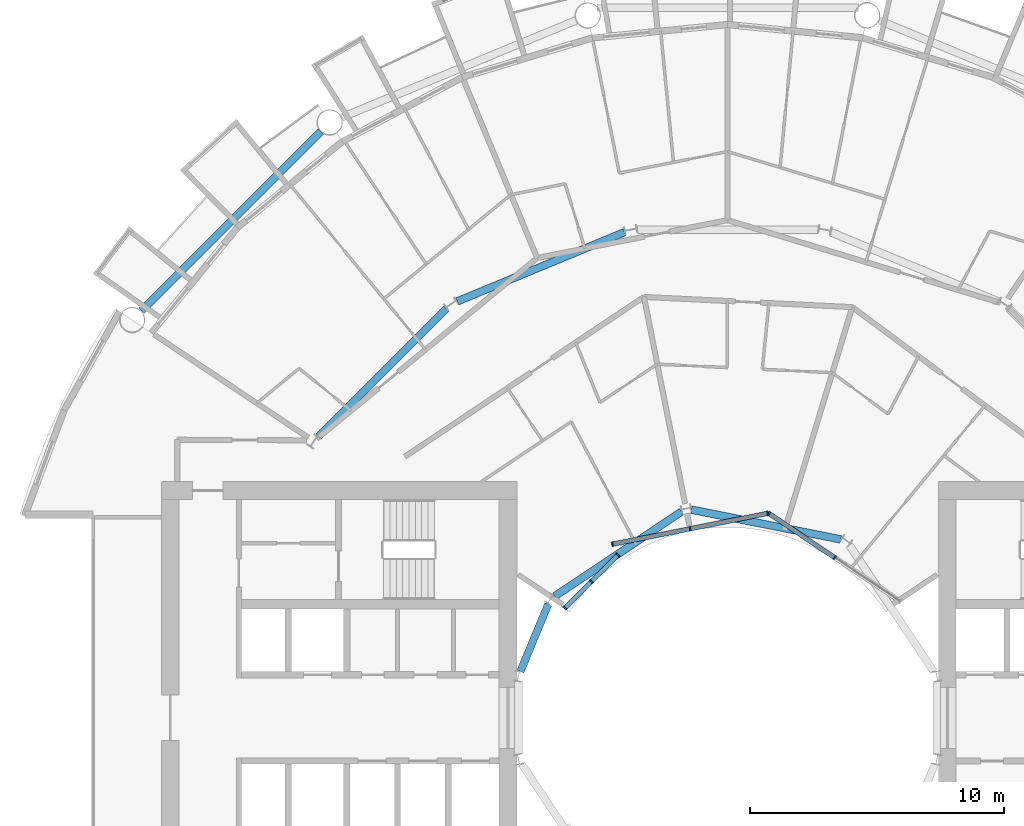
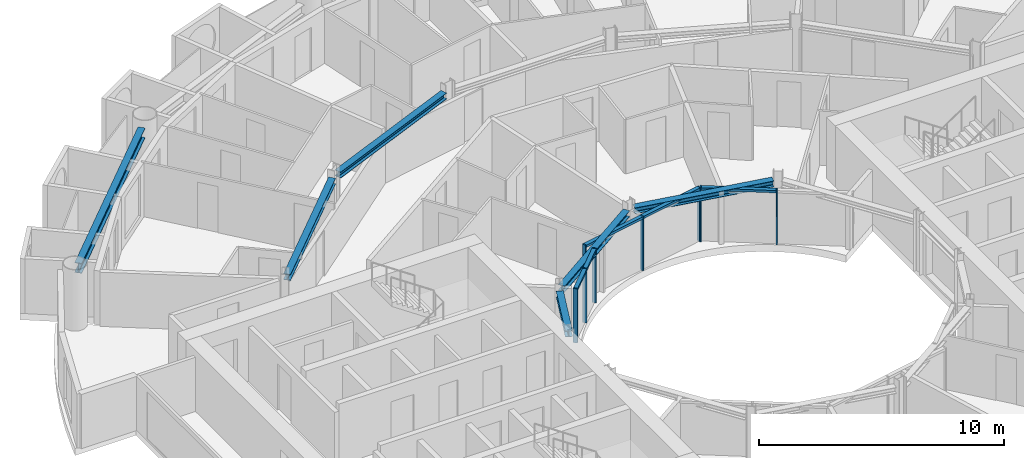
# One storey, part 7 of 26: 13 members, 6 beams, 3 elements without a shape of their own.
"""IFC4 building model written with IfcOpenShell, lengths in metres."""

from ifc_helpers import new_model, si_unit, direction, frame, origin, origin_2d, place, context, subcontext, project, spatial, rectangle, i_section, extrude, material, layer, layer_set, material_profile, profile_set, type_object, element, aggregate, save


model = new_model("IFC4")

# Units and contexts
model_context = context("Model", 3, precision=1e-05, world=origin(), true_north=direction((0.0, 1.0)))
body_context = subcontext(model_context, "Body", "Model", "MODEL_VIEW")
ifc_project = project(units=[si_unit("LENGTHUNIT", "METRE"), si_unit("AREAUNIT", "SQUARE_METRE"), si_unit("VOLUMEUNIT", "CUBIC_METRE"), si_unit("PLANEANGLEUNIT", "RADIAN"), si_unit("MASSUNIT", "GRAM", prefix="KILO")], contexts=[model_context])

# Site, building, storey
site_placement = place(None, origin())
site = spatial("IfcSite", under=ifc_project, at=site_placement, CompositionType="ELEMENT")
building_placement = place(site_placement, origin())
building = spatial("IfcBuilding", under=site, at=building_placement, Name="Maasbend Ring Residences", CompositionType="ELEMENT")
storey_placement = place(building_placement, frame((0.0, 0.0, 88.0)))
storey = spatial("IfcBuildingStorey", under=building, at=storey_placement, Name="L25", CompositionType="ELEMENT", Elevation=88.0)

# Curtain wall, members
ifc_material_1 = material(Name="Aluminium and clear glass", Category="aluminium")
ifc_layer = layer(ifc_material_1, 0.179931640625)
ifc_layer_set = layer_set([ifc_layer], Name="CW-W")
curtain_wall_type = type_object("IfcCurtainWallType", Name="CW-W", PredefinedType="NOTDEFINED", material=ifc_layer_set)
curtain_wall_1_placement = place(storey_placement, origin())
curtain_wall_1 = element("IfcCurtainWall", 1, at=curtain_wall_1_placement, inside=storey, type_object=curtain_wall_type, Name="Well curtain wall N1", PredefinedType="NOTDEFINED")
ifc_material_2 = material(Name="Aluminium 6063-T6", Category="aluminium")
ifc_material_profile_1 = material_profile(ifc_material_2, rectangle(XDim=0.179931640625, YDim=0.06005859375, at=origin_2d()), Name="AL 180x60")
ifc_profile_set_1 = profile_set([ifc_material_profile_1], Name="Aluminium 6063-T6")
member_type_1 = type_object("IfcMemberType", Name="CWM-W", PredefinedType="MULLION", material=ifc_profile_set_1)
member_1_placement = place(storey_placement, frame((4.216796875, 6.310791015625, 0.0), z_axis=(0.0, 0.0, 1.0), x_axis=(-0.55557023302, -0.831469612303, 0.0)))
member_1 = element("IfcMember", 2, at=member_1_placement, type_object=member_type_1, Name="Mullion well face", PredefinedType="MULLION", context=body_context, shape_type="SweptSolid", body=[
    extrude(rectangle(XDim=0.179931640625, YDim=0.06005859375, at=origin_2d()), origin(), (0.0, 0.0, 1.0), 2.699951171875),
])
member_2_placement = place(storey_placement, frame((1.627685546875, 8.040771484375, 0.0), z_axis=(0.0, 0.0, 1.0), x_axis=(-0.55557023302, -0.831469612303, 0.0)))
member_2 = element("IfcMember", 3, at=member_2_placement, type_object=member_type_1, Name="Mullion well face", PredefinedType="MULLION", context=body_context, shape_type="SweptSolid", body=[
    extrude(rectangle(XDim=0.179931640625, YDim=0.06005859375, at=origin_2d()), origin(), (0.0, 0.0, 1.0), 2.699951171875),
])

curtain_wall_2_placement = place(storey_placement, origin())
curtain_wall_2 = element("IfcCurtainWall", 4, at=curtain_wall_2_placement, inside=storey, type_object=curtain_wall_type, Name="Well curtain wall N2", PredefinedType="NOTDEFINED")
member_3_placement = place(storey_placement, frame((1.5732421875, 8.0517578125, 0.0), z_axis=(0.0, 0.0, 1.0), x_axis=(0.195090322016, -0.980785280403, 0.0)))
member_3 = element("IfcMember", 5, at=member_3_placement, type_object=member_type_1, Name="Mullion well face", PredefinedType="MULLION", context=body_context, shape_type="SweptSolid", body=[
    extrude(rectangle(XDim=0.179931640625, YDim=0.06005859375, at=origin_2d()), origin(), (0.0, 0.0, 1.0), 2.699951171875),
])
member_4_placement = place(storey_placement, frame((-1.480712890625, 7.444091796875, 0.0), z_axis=(0.0, 0.0, 1.0), x_axis=(0.195090322016, -0.980785280403, 0.0)))
member_4 = element("IfcMember", 6, at=member_4_placement, type_object=member_type_1, Name="Mullion well face", PredefinedType="MULLION", context=body_context, shape_type="SweptSolid", body=[
    extrude(rectangle(XDim=0.179931640625, YDim=0.06005859375, at=origin_2d()), origin(), (0.0, 0.0, 1.0), 2.699951171875),
])
member_5_placement = place(storey_placement, frame((-4.53466796875, 6.836669921875, 0.0), z_axis=(0.0, 0.0, 1.0), x_axis=(0.195090322016, -0.980785280403, 0.0)))
member_5 = element("IfcMember", 7, at=member_5_placement, type_object=member_type_1, Name="Mullion well face", PredefinedType="MULLION", context=body_context, shape_type="SweptSolid", body=[
    extrude(rectangle(XDim=0.179931640625, YDim=0.06005859375, at=origin_2d()), origin(), (0.0, 0.0, 1.0), 2.699951171875),
])

curtain_wall_3_placement = place(storey_placement, origin())
curtain_wall_3 = element("IfcCurtainWall", 8, at=curtain_wall_3_placement, inside=storey, type_object=curtain_wall_type, Name="Well curtain wall N3", PredefinedType="NOTDEFINED")
member_6_placement = place(storey_placement, frame((-4.320556640625, 6.413330078125, 0.0), z_axis=(0.0, 0.0, 1.0), x_axis=(0.707106781187, -0.707106781187, 0.0)))
member_6 = element("IfcMember", 9, at=member_6_placement, type_object=member_type_1, Name="Mullion well face", PredefinedType="MULLION", context=body_context, shape_type="SweptSolid", body=[
    extrude(rectangle(XDim=0.179931640625, YDim=0.06005859375, at=origin_2d()), origin(), (0.0, 0.0, 1.0), 2.699951171875),
])
member_7_placement = place(storey_placement, frame((-5.366943359375, 5.366943359375, 0.0), z_axis=(0.0, 0.0, 1.0), x_axis=(0.707106781187, -0.707106781187, 0.0)))
member_7 = element("IfcMember", 10, at=member_7_placement, type_object=member_type_1, Name="Mullion well face", PredefinedType="MULLION", context=body_context, shape_type="SweptSolid", body=[
    extrude(rectangle(XDim=0.179931640625, YDim=0.06005859375, at=origin_2d()), origin(), (0.0, 0.0, 1.0), 2.699951171875),
])
member_8_placement = place(storey_placement, frame((-6.413330078125, 4.320556640625, 0.0), z_axis=(0.0, 0.0, 1.0), x_axis=(0.707106781187, -0.707106781187, 0.0)))
member_8 = element("IfcMember", 11, at=member_8_placement, type_object=member_type_1, Name="Mullion well face", PredefinedType="MULLION", context=body_context, shape_type="SweptSolid", body=[
    extrude(rectangle(XDim=0.179931640625, YDim=0.06005859375, at=origin_2d()), origin(), (0.0, 0.0, 1.0), 2.699951171875),
])

# Member
ifc_material_3 = material(Name="Aluminium 6063-T6", Category="aluminium")
ifc_material_profile_2 = material_profile(ifc_material_3, rectangle(XDim=0.179931640625, YDim=0.1201171875, at=origin_2d()), Name="AL 180x120")
ifc_profile_set_2 = profile_set([ifc_material_profile_2], Name="Aluminium 6063-T6")
member_type_2 = type_object("IfcMemberType", Name="CWT-W", PredefinedType="USERDEFINED", material=ifc_profile_set_2)
member_9_placement = place(storey_placement, frame((4.19189453125, 6.32763671875, 2.639892578125), z_axis=(-0.831496422459, 0.555530106689, 0.0), x_axis=(-0.555530106689, -0.831496422459, 0.0)))
member_9 = element("IfcMember", 12, at=member_9_placement, type_object=member_type_2, Name="Transom well face", ObjectType="TRANSOM", PredefinedType="USERDEFINED", context=body_context, shape_type="SweptSolid", body=[
    extrude(rectangle(XDim=0.179931640625, YDim=0.1201171875, at=origin_2d()), origin(), (0.0, 0.0, 1.0), 3.053955078125),
])

aggregate(curtain_wall_1, [member_1, member_2, member_9])

member_10_placement = place(storey_placement, frame((1.5439453125, 8.0458984375, 2.639892578125), z_axis=(-0.980776956105, -0.195132166424, 0.0), x_axis=(0.195132166424, -0.980776956105, 0.0)))
member_10 = element("IfcMember", 13, at=member_10_placement, type_object=member_type_2, Name="Transom well face", ObjectType="TRANSOM", PredefinedType="USERDEFINED", context=body_context, shape_type="SweptSolid", body=[
    extrude(rectangle(XDim=0.179931640625, YDim=0.1201171875, at=origin_2d()), origin(), (0.0, 0.0, 1.0), 3.053955078125),
])

member_11_placement = place(storey_placement, frame((-1.51025390625, 7.438232421875, 2.639892578125), z_axis=(-0.980789210404, -0.19507056353, 0.0), x_axis=(0.19507056353, -0.980789210404, 0.0)))
member_11 = element("IfcMember", 14, at=member_11_placement, type_object=member_type_2, Name="Transom well face", ObjectType="TRANSOM", PredefinedType="USERDEFINED", context=body_context, shape_type="SweptSolid", body=[
    extrude(rectangle(XDim=0.179931640625, YDim=0.1201171875, at=origin_2d()), origin(), (0.0, 0.0, 1.0), 3.0537109375),
])

aggregate(curtain_wall_2, [member_3, member_4, member_5, member_10, member_11])

member_12_placement = place(storey_placement, frame((-4.341796875, 6.39208984375, 2.639892578125), z_axis=(-0.707106781187, -0.707106781187, 0.0), x_axis=(0.707106781187, -0.707106781187, 0.0)))
member_12 = element("IfcMember", 15, at=member_12_placement, type_object=member_type_2, Name="Transom well face", ObjectType="TRANSOM", PredefinedType="USERDEFINED", context=body_context, shape_type="SweptSolid", body=[
    extrude(rectangle(XDim=0.179931640625, YDim=0.1201171875, at=origin_2d()), origin(), (0.0, 0.0, 1.0), 1.419677734375),
])

member_13_placement = place(storey_placement, frame((-5.38818359375, 5.345703125, 2.639892578125), z_axis=(-0.707106781187, -0.707106781187, 0.0), x_axis=(0.707106781187, -0.707106781187, 0.0)))
member_13 = element("IfcMember", 16, at=member_13_placement, type_object=member_type_2, Name="Transom well face", ObjectType="TRANSOM", PredefinedType="USERDEFINED", context=body_context, shape_type="SweptSolid", body=[
    extrude(rectangle(XDim=0.179931640625, YDim=0.1201171875, at=origin_2d()), origin(), (0.0, 0.0, 1.0), 1.419677734375),
])

aggregate(curtain_wall_3, [member_6, member_7, member_8, member_12, member_13])

# Beams
ifc_material_4 = material(Name="Steel S355J2", Category="steel")
ifc_material_profile_3 = material_profile(ifc_material_4, i_section(OverallWidth=0.300048828125, OverallDepth=0.300048828125, WebThickness=0.010986328125, FlangeThickness=0.01904296875, FilletRadius=0.027099609375, at=origin_2d()), Name="HEB 300")
ifc_profile_set_3 = profile_set([ifc_material_profile_3], Name="Steel S355J2")
beam_type_1 = type_object("IfcBeamType", Name="Corridor ring beam HEB 300", PredefinedType="BEAM", material=ifc_profile_set_3)
for number, where, z_axis, x_axis, name in (
    (17, (-4.070556640625, 19.12109375, 2.550048828125), (-0.923877113721, -0.382689271788, 0.0), (0.382689271788, -0.923877113721, 0.0), "Corridor ring beam"),
    (18, (-11.078125, 16.10791015625, 2.550048828125), (-0.707106781187, -0.707106781187, 0.0), (0.707106781187, -0.707106781187, 0.0), "Corridor ring beam"),
):
    element("IfcBeam", number, at=place(storey_placement, frame(where, z_axis=z_axis, x_axis=x_axis)), inside=storey, type_object=beam_type_1, Name=name, PredefinedType="BEAM", context=body_context, shape_type="SweptSolid", body=[
        extrude(i_section(OverallWidth=0.300048828125, OverallDepth=0.300048828125, WebThickness=0.010986328125, FlangeThickness=0.01904296875, FilletRadius=0.027099609375, at=origin_2d()), origin(), (0.0, 0.0, 1.0), 7.11328125),
    ])
ifc_material_5 = material(Name="Steel S355J2", Category="steel")
ifc_material_profile_4 = material_profile(ifc_material_5, i_section(OverallWidth=0.300048828125, OverallDepth=0.5, WebThickness=0.014404296875, FlangeThickness=0.028076171875, FilletRadius=0.027099609375, at=origin_2d()), Name="HEB 500")
ifc_profile_set_4 = profile_set([ifc_material_profile_4], Name="Steel S355J2")
beam_type_2 = type_object("IfcBeamType", Name="Spandrel ring beam HEB 500", PredefinedType="SPANDREL", material=ifc_profile_set_4)
beam_1_placement = place(storey_placement, frame((-16.0263671875, 23.088134765625, 2.449951171875), z_axis=(-0.707106781187, -0.707106781187, 0.0), x_axis=(0.707106781187, -0.707106781187, 0.0)))
element("IfcBeam", 19, at=beam_1_placement, inside=storey, type_object=beam_type_2, Name="Spandrel ring beam", PredefinedType="SPANDREL", context=body_context, shape_type="SweptSolid", body=[
    extrude(i_section(OverallWidth=0.300048828125, OverallDepth=0.5, WebThickness=0.014404296875, FlangeThickness=0.028076171875, FilletRadius=0.027099609375, at=origin_2d()), origin(), (0.0, 0.0, 1.0), 9.98681640625),
])
ifc_material_6 = material(Name="Steel S355J2", Category="steel")
ifc_material_profile_5 = material_profile(ifc_material_6, i_section(OverallWidth=0.300048828125, OverallDepth=0.300048828125, WebThickness=0.010986328125, FlangeThickness=0.01904296875, FilletRadius=0.027099609375, at=origin_2d()), Name="HEB 300")
ifc_profile_set_5 = profile_set([ifc_material_profile_5], Name="Steel S355J2")
beam_type_3 = type_object("IfcBeamType", Name="Well edge beam HEB 300", PredefinedType="BEAM", material=ifc_profile_set_5)
beam_2_placement = place(storey_placement, frame((4.45458984375, 7.026611328125, 2.550048828125), z_axis=(-0.980789954577, 0.195066821885, 0.0), x_axis=(-0.195066821885, -0.980789954577, 0.0)))
element("IfcBeam", 20, at=beam_2_placement, inside=storey, type_object=beam_type_3, Name="Well edge beam", PredefinedType="BEAM", context=body_context, shape_type="SweptSolid", body=[
    extrude(i_section(OverallWidth=0.300048828125, OverallDepth=0.300048828125, WebThickness=0.010986328125, FlangeThickness=0.01904296875, FilletRadius=0.027099609375, at=origin_2d()), origin(), (0.0, 0.0, 1.0), 5.996337890625),
])
beam_3_placement = place(storey_placement, frame((-1.81884765625, 8.118408203125, 2.550048828125), z_axis=(-0.83145471117, -0.555592533493, 0.0), x_axis=(0.555592533493, -0.83145471117, 0.0)))
element("IfcBeam", 21, at=beam_3_placement, inside=storey, type_object=beam_type_3, Name="Well edge beam", PredefinedType="BEAM", context=body_context, shape_type="SweptSolid", body=[
    extrude(i_section(OverallWidth=0.300048828125, OverallDepth=0.300048828125, WebThickness=0.010986328125, FlangeThickness=0.01904296875, FilletRadius=0.027099609375, at=origin_2d()), origin(), (0.0, 0.0, 1.0), 5.995849609375),
])
beam_4_placement = place(storey_placement, frame((-7.062255859375, 4.478515625, 2.550048828125), z_axis=(-0.382729955172, -0.923860260761, 0.0), x_axis=(0.923860260761, -0.382729955172, 0.0)))
element("IfcBeam", 22, at=beam_4_placement, inside=storey, type_object=beam_type_3, Name="Well edge beam", PredefinedType="BEAM", context=body_context, shape_type="SweptSolid", body=[
    extrude(i_section(OverallWidth=0.300048828125, OverallDepth=0.300048828125, WebThickness=0.010986328125, FlangeThickness=0.01904296875, FilletRadius=0.027099609375, at=origin_2d()), origin(), (0.0, 0.0, 1.0), 2.869873046875),
])

save(model, "model.ifc")
